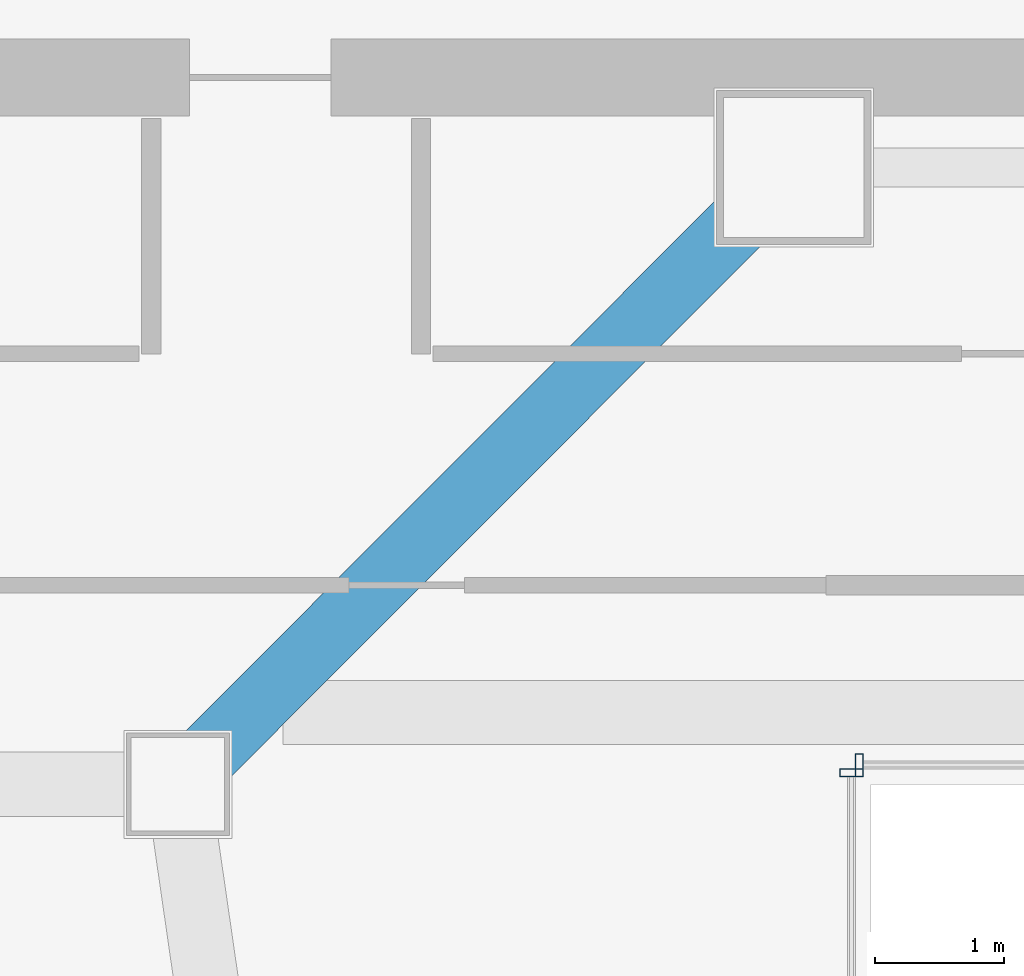
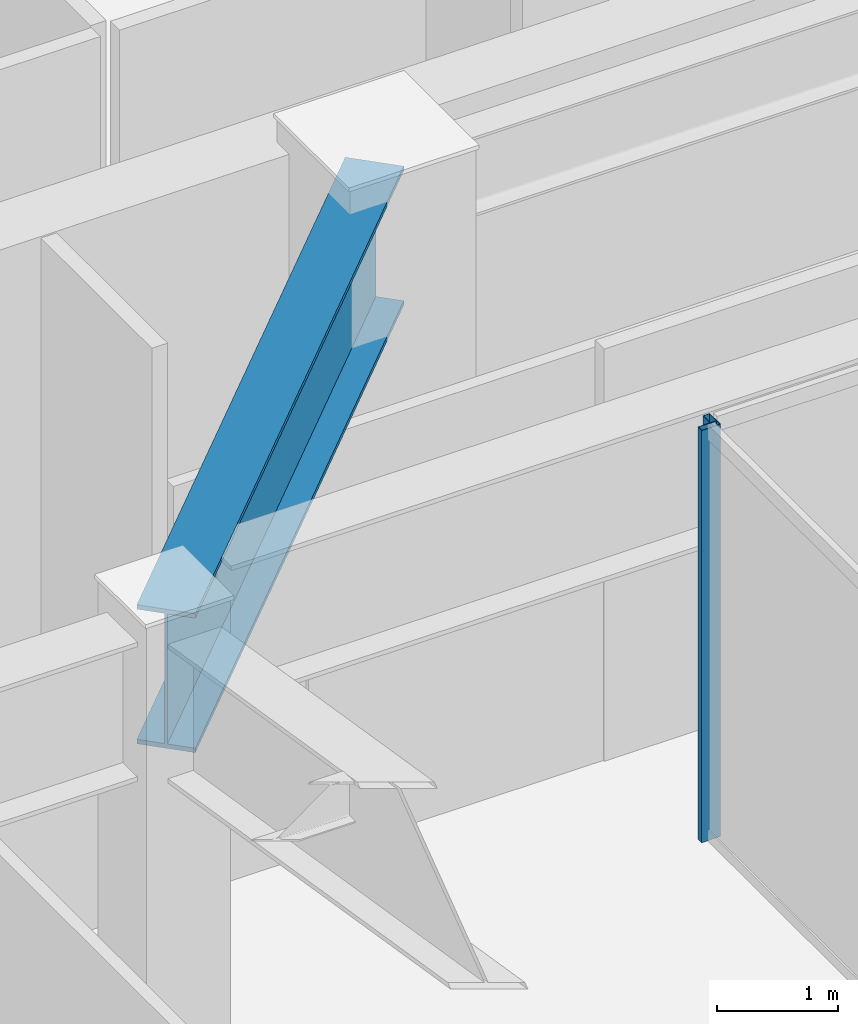
# One storey, part 23 of 40: 2 members, 1 beam, 2 elements without a shape of their own.
"""IFC4 building model written with IfcOpenShell, lengths in metres."""

from ifc_helpers import new_model, si_unit, direction, frame, origin, origin_2d, place, context, subcontext, project, spatial, hollow_rectangle, i_section, extrude, material, material_profile, profile_set, type_object, element, aggregate, save


model = new_model("IFC4")

# Units and contexts
model_context = context("Model", 3, precision=1e-05, world=origin(), true_north=direction((0.0, 1.0)))
body_context = subcontext(model_context, "Body", "Model", "MODEL_VIEW")
ifc_project = project(units=[si_unit("LENGTHUNIT", "METRE"), si_unit("AREAUNIT", "SQUARE_METRE"), si_unit("VOLUMEUNIT", "CUBIC_METRE"), si_unit("PLANEANGLEUNIT", "RADIAN"), si_unit("MASSUNIT", "GRAM", prefix="KILO")], contexts=[model_context])

# Site, building, storey
site_placement = place(None, origin())
site = spatial("IfcSite", under=ifc_project, at=site_placement, CompositionType="ELEMENT")
building_placement = place(site_placement, origin())
building = spatial("IfcBuilding", under=site, at=building_placement, Name="Saevonmaru Cultural Tower", CompositionType="ELEMENT")
storey_placement = place(building_placement, frame((0.0, 0.0, 97.199951171875)))
storey = spatial("IfcBuildingStorey", under=building, at=storey_placement, Name="L20", CompositionType="ELEMENT", Elevation=97.199951171875)

# Beam
ifc_material_1 = material(Name="Steel HSA600 (600 MPa)", Category="steel")
ifc_material_profile_1 = material_profile(ifc_material_1, i_section(OverallWidth=0.5, OverallDepth=1.39990234375, WebThickness=0.02392578125, FlangeThickness=0.044921875, at=origin_2d()), Name="PG-1400x500x24x45")
ifc_profile_set_1 = profile_set([ifc_material_profile_1], Name="Steel HSA600 (600 MPa)")
beam_type = type_object("IfcBeamType", Name="BM-TG-PG1400", PredefinedType="BEAM", material=ifc_profile_set_1)
beam_placement = place(storey_placement, frame((18.850341796875, 37.642578125, 3.449951171875), z_axis=(0.706538566564, 0.707674539572, 0.0), x_axis=(-0.707674539572, 0.706538566564, 0.0)))
element("IfcBeam", 1, at=beam_placement, inside=storey, type_object=beam_type, Name="L20 West Atrium Girder 6", PredefinedType="BEAM", context=body_context, shape_type="SweptSolid", body=[
    extrude(i_section(OverallWidth=0.5, OverallDepth=1.39990234375, WebThickness=0.02392578125, FlangeThickness=0.044921875, at=origin_2d()), origin(), (0.0, 0.0, 1.0), 6.662353515625),
])

# Curtain wall, member
ifc_material_2 = material(Name="Satin Bronze Anodised Aluminium", Category="aluminium")
curtain_wall_type = type_object("IfcCurtainWallType", Name="CW-ATR-GLZ", PredefinedType="NOTDEFINED", material=ifc_material_2)
curtain_wall_1_placement = place(storey_placement, origin())
curtain_wall_1 = element("IfcCurtainWall", 2, at=curtain_wall_1_placement, inside=storey, type_object=curtain_wall_type, Name="L20 Vertical Atrium Glazed Smoke Screen 3", PredefinedType="NOTDEFINED")
ifc_material_profile_2 = material_profile(ifc_material_2, hollow_rectangle(XDim=0.06494140625, YDim=0.179931640625, WallThickness=0.00390625, at=origin_2d()), Name="ALU-MULL-180x65x4")
ifc_profile_set_2 = profile_set([ifc_material_profile_2], Name="Satin Bronze Anodised Aluminium")
member_type = type_object("IfcMemberType", Name="ML-CW-INT-180x65", PredefinedType="MULLION", material=ifc_profile_set_2)
member_1_placement = place(storey_placement, frame((24.110107421875, 37.75, 0.0), z_axis=(0.0, 0.0, 1.0), x_axis=(-1.0, 0.0, 0.0)))
member_1 = element("IfcMember", 3, at=member_1_placement, type_object=member_type, Name="CW-ATR-L20-3 mullion 2", PredefinedType="MULLION", context=body_context, shape_type="SweptSolid", body=[
    extrude(hollow_rectangle(XDim=0.06494140625, YDim=0.179931640625, WallThickness=0.00390625, at=origin_2d()), origin(), (0.0, 0.0, 1.0), 4.150146484375),
])
aggregate(curtain_wall_1, [member_1])

curtain_wall_2_placement = place(storey_placement, origin())
curtain_wall_2 = element("IfcCurtainWall", 4, at=curtain_wall_2_placement, inside=storey, type_object=curtain_wall_type, Name="L20 Vertical Atrium Glazed Smoke Screen 4", PredefinedType="NOTDEFINED")
member_2_placement = place(storey_placement, frame((24.050048828125, 37.68994140625, 0.0), z_axis=(0.0, 0.0, 1.0), x_axis=(0.0, -1.0, 0.0)))
member_2 = element("IfcMember", 5, at=member_2_placement, type_object=member_type, Name="CW-ATR-L20-4 mullion 1", PredefinedType="MULLION", context=body_context, shape_type="SweptSolid", body=[
    extrude(hollow_rectangle(XDim=0.06494140625, YDim=0.179931640625, WallThickness=0.00390625, at=origin_2d()), origin(), (0.0, 0.0, 1.0), 4.150146484375),
])
aggregate(curtain_wall_2, [member_2])

save(model, "model.ifc")
